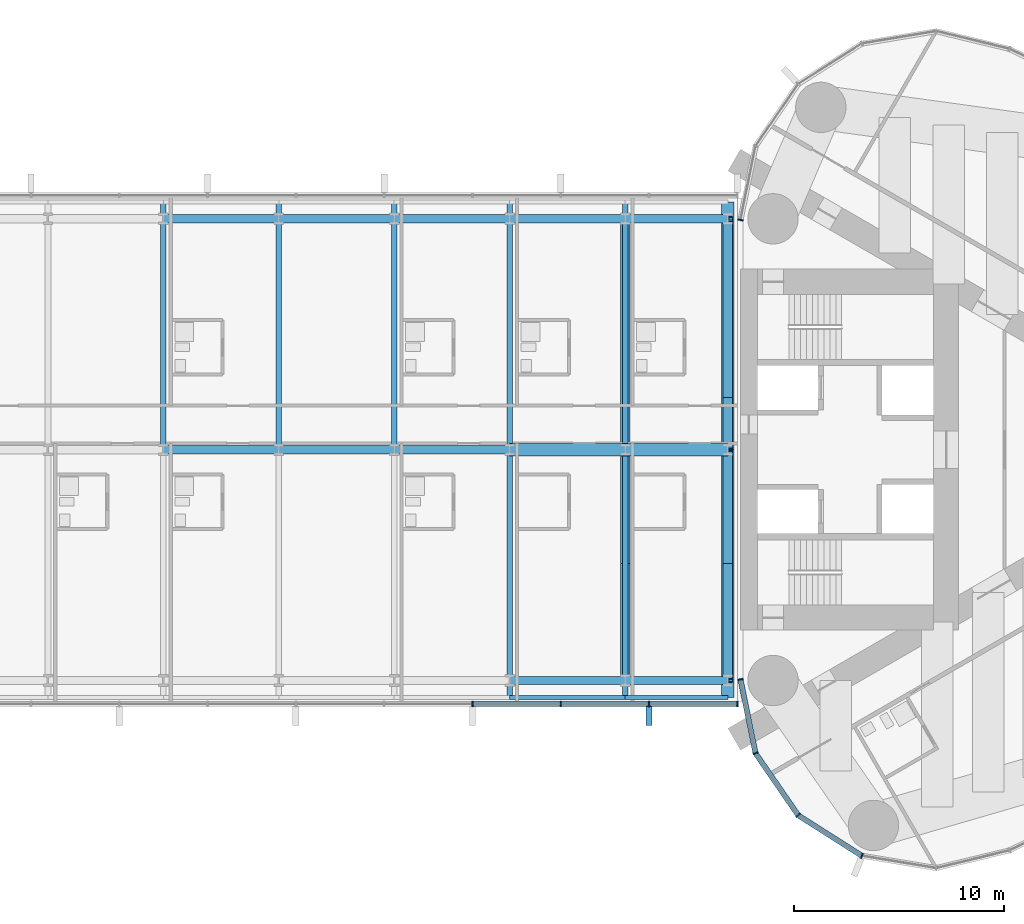
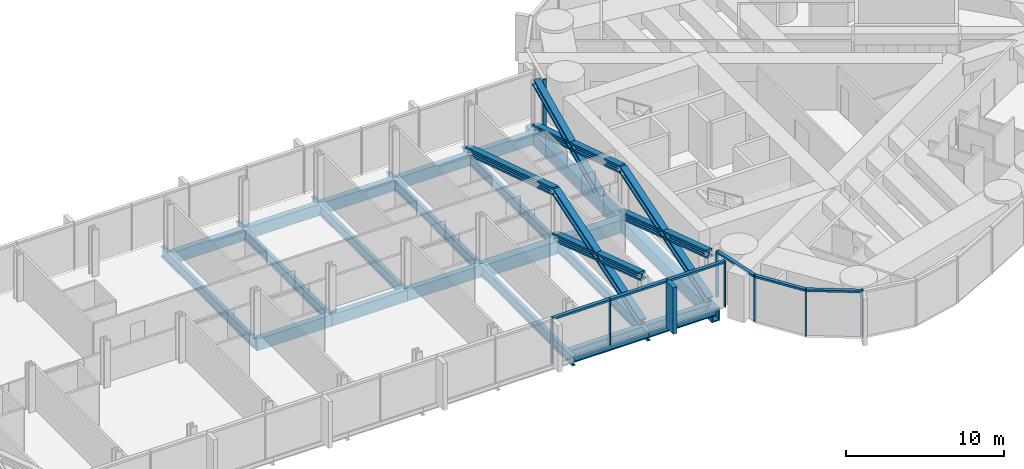
# One storey, part 8 of 24: 23 beams, 23 members, 2 elements without a shape of their own.
"""IFC4 building model written with IfcOpenShell, lengths in metres."""

from ifc_helpers import new_model, si_unit, direction, frame, origin, origin_2d, place, context, subcontext, project, spatial, rectangle, hollow_rectangle, i_section, extrude, material, material_profile, profile_set, type_object, element, aggregate, save


model = new_model("IFC4")

# Units and contexts
model_context = context("Model", 3, precision=1e-05, world=origin(), true_north=direction((0.0, 1.0)))
body_context = subcontext(model_context, "Body", "Model", "MODEL_VIEW")
ifc_project = project(units=[si_unit("LENGTHUNIT", "METRE"), si_unit("AREAUNIT", "SQUARE_METRE"), si_unit("VOLUMEUNIT", "CUBIC_METRE"), si_unit("PLANEANGLEUNIT", "RADIAN"), si_unit("MASSUNIT", "GRAM", prefix="KILO")], contexts=[model_context])

# Site, building, storey
site_placement = place(None, origin())
site = spatial("IfcSite", under=ifc_project, at=site_placement, CompositionType="ELEMENT")
building_placement = place(site_placement, origin())
building = spatial("IfcBuilding", under=site, at=building_placement, Name="Lancet Gate Hotel", CompositionType="ELEMENT")
storey_placement = place(building_placement, frame((0.0, 0.0, 244.10009765625)))
storey = spatial("IfcBuildingStorey", under=building, at=storey_placement, Name="L65", CompositionType="ELEMENT", Elevation=244.10009765625)

# Curtain wall, members
ifc_material_1 = material(Name="Aluminium curtain wall", Category="aluminium")
curtain_wall_type_1 = type_object("IfcCurtainWallType", Name="Tower unitised curtain wall", PredefinedType="USERDEFINED", material=ifc_material_1)
curtain_wall_1_placement = place(storey_placement, origin())
curtain_wall_1 = element("IfcCurtainWall", 1, at=curtain_wall_1_placement, inside=storey, type_object=curtain_wall_type_1, Name="T2 L65 curtain wall 1", ObjectType="UNITISED CURTAIN WALL", PredefinedType="USERDEFINED")
ifc_material_2 = material(Name="Aluminium mullion", Category="aluminium")
ifc_material_profile_1 = material_profile(ifc_material_2, rectangle(XDim=0.06494140625, YDim=0.25, at=origin_2d()), Name="MULLION 65x250")
ifc_profile_set_1 = profile_set([ifc_material_profile_1], Name="Aluminium mullion")
member_type_1 = type_object("IfcMemberType", Name="Aluminium mullion 65x250", PredefinedType="MULLION", material=ifc_profile_set_1)
member_1_placement = place(storey_placement, frame((27.5, -10.947998046875, 0.0), z_axis=(0.0, 0.0, 1.0), x_axis=(0.199533486841, -0.979891008036, 0.0)))
member_1 = element("IfcMember", 2, at=member_1_placement, type_object=member_type_1, Name="T2 L65 curtain wall 1 mullion 1", PredefinedType="MULLION", context=body_context, shape_type="SweptSolid", body=[
    extrude(rectangle(XDim=0.06494140625, YDim=0.25, at=origin_2d()), origin(), (0.0, 0.0, 1.0), 3.599853515625),
])
member_2_placement = place(storey_placement, frame((28.216552734375, -14.467529296875, 0.0), z_axis=(0.0, 0.0, 1.0), x_axis=(0.391042139098, -0.920372775265, 0.0)))
member_2 = element("IfcMember", 3, at=member_2_placement, type_object=member_type_1, Name="T2 L65 curtain wall 1 mullion 2", PredefinedType="MULLION", context=body_context, shape_type="SweptSolid", body=[
    extrude(rectangle(XDim=0.06494140625, YDim=0.25, at=origin_2d()), origin(), (0.0, 0.0, 1.0), 3.599853515625),
])
member_3_placement = place(storey_placement, frame((30.25244140625, -17.42626953125, 0.0), z_axis=(0.0, 0.0, 1.0), x_axis=(0.719809077627, -0.694172090886, 0.0)))
member_3 = element("IfcMember", 4, at=member_3_placement, type_object=member_type_1, Name="T2 L65 curtain wall 1 mullion 3", PredefinedType="MULLION", context=body_context, shape_type="SweptSolid", body=[
    extrude(rectangle(XDim=0.06494140625, YDim=0.25, at=origin_2d()), origin(), (0.0, 0.0, 1.0), 3.599853515625),
])
member_4_placement = place(storey_placement, frame((33.283203125, -19.353515625, 0.0), z_axis=(0.0, 0.0, 1.0), x_axis=(0.93394321776, -0.357421412343, 0.0)))
member_4 = element("IfcMember", 5, at=member_4_placement, type_object=member_type_1, Name="T2 L65 curtain wall 1 mullion 4", PredefinedType="MULLION", context=body_context, shape_type="SweptSolid", body=[
    extrude(rectangle(XDim=0.06494140625, YDim=0.25, at=origin_2d()), origin(), (0.0, 0.0, 1.0), 3.599853515625),
])
member_5_placement = place(storey_placement, frame((27.5, 10.947998046875, 0.0), z_axis=(0.0, 0.0, 1.0), x_axis=(-0.199533486841, -0.979891008036, 0.0)))
member_5 = element("IfcMember", 6, at=member_5_placement, type_object=member_type_1, Name="T2 L65 curtain wall 1 mullion 27", PredefinedType="MULLION", context=body_context, shape_type="SweptSolid", body=[
    extrude(rectangle(XDim=0.06494140625, YDim=0.25, at=origin_2d()), origin(), (0.0, 0.0, 1.0), 3.599853515625),
])

ifc_material_3 = material(Name="Aluminium curtain wall", Category="aluminium")
curtain_wall_type_2 = type_object("IfcCurtainWallType", Name="Bridge block curtain wall", PredefinedType="USERDEFINED", material=ifc_material_3)
curtain_wall_2_placement = place(storey_placement, origin())
curtain_wall_2 = element("IfcCurtainWall", 7, at=curtain_wall_2_placement, inside=storey, type_object=curtain_wall_type_2, Name="Bridge block L65 curtain wall S", ObjectType="UNITISED CURTAIN WALL", PredefinedType="USERDEFINED")
member_6_placement = place(storey_placement, frame((14.726806640625, -12.1201171875, 0.0), z_axis=(0.0, 0.0, 1.0), x_axis=(1.0, 0.0, 0.0)))
member_6 = element("IfcMember", 8, at=member_6_placement, type_object=member_type_1, Name="Bridge block L65 curtain wall S mullion 11", PredefinedType="MULLION", context=body_context, shape_type="SweptSolid", body=[
    extrude(rectangle(XDim=0.06494140625, YDim=0.25, at=origin_2d()), origin(), (0.0, 0.0, 1.0), 3.599853515625),
])
member_7_placement = place(storey_placement, frame((18.9345703125, -12.1201171875, 0.0), z_axis=(0.0, 0.0, 1.0), x_axis=(1.0, 0.0, 0.0)))
member_7 = element("IfcMember", 9, at=member_7_placement, type_object=member_type_1, Name="Bridge block L65 curtain wall S mullion 12", PredefinedType="MULLION", context=body_context, shape_type="SweptSolid", body=[
    extrude(rectangle(XDim=0.06494140625, YDim=0.25, at=origin_2d()), origin(), (0.0, 0.0, 1.0), 3.599853515625),
])
member_8_placement = place(storey_placement, frame((23.142333984375, -12.1201171875, 0.0), z_axis=(0.0, 0.0, 1.0), x_axis=(1.0, 0.0, 0.0)))
member_8 = element("IfcMember", 10, at=member_8_placement, type_object=member_type_1, Name="Bridge block L65 curtain wall S mullion 13", PredefinedType="MULLION", context=body_context, shape_type="SweptSolid", body=[
    extrude(rectangle(XDim=0.06494140625, YDim=0.25, at=origin_2d()), origin(), (0.0, 0.0, 1.0), 3.599853515625),
])
member_9_placement = place(storey_placement, frame((27.35009765625, -12.1201171875, 0.0), z_axis=(0.0, 0.0, 1.0), x_axis=(1.0, 0.0, 0.0)))
member_9 = element("IfcMember", 11, at=member_9_placement, type_object=member_type_1, Name="Bridge block L65 curtain wall S mullion 14", PredefinedType="MULLION", context=body_context, shape_type="SweptSolid", body=[
    extrude(rectangle(XDim=0.06494140625, YDim=0.25, at=origin_2d()), origin(), (0.0, 0.0, 1.0), 3.599853515625),
])

# Member
ifc_material_4 = material(Name="Aluminium transom", Category="aluminium")
ifc_material_profile_2 = material_profile(ifc_material_4, rectangle(XDim=0.25, YDim=0.14990234375, at=origin_2d()), Name="TRANSOM 250x150")
ifc_profile_set_2 = profile_set([ifc_material_profile_2], Name="Aluminium transom")
member_type_2 = type_object("IfcMemberType", Name="Aluminium transom 250x150", PredefinedType="USERDEFINED", material=ifc_profile_set_2)
member_10_placement = place(storey_placement, frame((27.506591796875, -10.97998046875, 3.52490234375), z_axis=(0.19952323725, -0.979893095086, 0.0), x_axis=(0.979893095086, 0.19952323725, 0.0)))
member_10 = element("IfcMember", 12, at=member_10_placement, type_object=member_type_2, Name="T2 L65 curtain wall 1 transom 1", ObjectType="TRANSOM", PredefinedType="USERDEFINED", context=body_context, shape_type="SweptSolid", body=[
    extrude(rectangle(XDim=0.25, YDim=0.14990234375, at=origin_2d()), origin(), (0.0, 0.0, 1.0), 3.5263671875),
])

member_11_placement = place(storey_placement, frame((28.235107421875, -14.494140625, 3.52490234375), z_axis=(0.566813768052, -0.82384595183, 0.0), x_axis=(0.82384595183, 0.566813768052, 0.0)))
member_11 = element("IfcMember", 13, at=member_11_placement, type_object=member_type_2, Name="T2 L65 curtain wall 1 transom 2", ObjectType="TRANSOM", PredefinedType="USERDEFINED", context=body_context, shape_type="SweptSolid", body=[
    extrude(rectangle(XDim=0.25, YDim=0.14990234375, at=origin_2d()), origin(), (0.0, 0.0, 1.0), 3.52685546875),
])

member_12_placement = place(storey_placement, frame((30.27978515625, -17.44384765625, 3.52490234375), z_axis=(0.84385811281, -0.536566384938, 0.0), x_axis=(0.536566384938, 0.84385811281, 0.0)))
member_12 = element("IfcMember", 14, at=member_12_placement, type_object=member_type_2, Name="T2 L65 curtain wall 1 transom 3", ObjectType="TRANSOM", PredefinedType="USERDEFINED", context=body_context, shape_type="SweptSolid", body=[
    extrude(rectangle(XDim=0.25, YDim=0.14990234375, at=origin_2d()), origin(), (0.0, 0.0, 1.0), 3.52685546875),
])

aggregate(curtain_wall_1, [member_1, member_2, member_3, member_4, member_5, member_10, member_11, member_12])

member_13_placement = place(storey_placement, frame((14.759521484375, -12.1201171875, 3.52490234375), z_axis=(1.0, 0.0, 0.0), x_axis=(0.0, 1.0, 0.0)))
member_13 = element("IfcMember", 15, at=member_13_placement, type_object=member_type_2, Name="Bridge block L65 curtain wall S transom 11", ObjectType="TRANSOM", PredefinedType="USERDEFINED", context=body_context, shape_type="SweptSolid", body=[
    extrude(rectangle(XDim=0.25, YDim=0.14990234375, at=origin_2d()), origin(), (0.0, 0.0, 1.0), 4.142578125),
])

member_14_placement = place(storey_placement, frame((18.967041015625, -12.1201171875, 3.52490234375), z_axis=(1.0, 0.0, 0.0), x_axis=(0.0, 1.0, 0.0)))
member_14 = element("IfcMember", 16, at=member_14_placement, type_object=member_type_2, Name="Bridge block L65 curtain wall S transom 12", ObjectType="TRANSOM", PredefinedType="USERDEFINED", context=body_context, shape_type="SweptSolid", body=[
    extrude(rectangle(XDim=0.25, YDim=0.14990234375, at=origin_2d()), origin(), (0.0, 0.0, 1.0), 4.142822265625),
])

member_15_placement = place(storey_placement, frame((23.1748046875, -12.1201171875, 3.52490234375), z_axis=(1.0, 0.0, 0.0), x_axis=(0.0, 1.0, 0.0)))
member_15 = element("IfcMember", 17, at=member_15_placement, type_object=member_type_2, Name="Bridge block L65 curtain wall S transom 13", ObjectType="TRANSOM", PredefinedType="USERDEFINED", context=body_context, shape_type="SweptSolid", body=[
    extrude(rectangle(XDim=0.25, YDim=0.14990234375, at=origin_2d()), origin(), (0.0, 0.0, 1.0), 4.142578125),
])

# Members
ifc_material_5 = material(Name="Steel S460", Category="steel")
ifc_material_profile_3 = material_profile(ifc_material_5, i_section(OverallWidth=0.4541015625, OverallDepth=0.569091796875, WebThickness=0.077880859375, FlangeThickness=0.125, FilletRadius=0.02001953125, at=origin_2d()), Name="HD 400x1086")
ifc_profile_set_3 = profile_set([ifc_material_profile_3], Name="Steel S460")
member_type_3 = type_object("IfcMemberType", Name="Block brace HD 400x1086", PredefinedType="BRACE", material=ifc_profile_set_3)
member_16_placement = place(storey_placement, frame((26.89990234375, -11.0, 0.0), z_axis=(0.0, 0.952925780013, 0.303203657277), x_axis=(-1.0, 0.0, 0.0)))
element("IfcMember", 18, at=member_16_placement, inside=storey, type_object=member_type_3, Name="Block brace EY11 L65", PredefinedType="BRACE", context=body_context, shape_type="SweptSolid", body=[
    extrude(i_section(OverallWidth=0.4541015625, OverallDepth=0.569091796875, WebThickness=0.077880859375, FlangeThickness=0.125, FilletRadius=0.02001953125, at=origin_2d()), origin(), (0.0, 0.0, 1.0), 11.54345703125),
])
member_17_placement = place(storey_placement, frame((26.89990234375, 0.0, 0.0), z_axis=(0.0, -0.950400870301, 0.311027628564), x_axis=(1.0, 0.0, 0.0)))
element("IfcMember", 19, at=member_17_placement, inside=storey, type_object=member_type_3, Name="Block brace EY12 L65", PredefinedType="BRACE", context=body_context, shape_type="SweptSolid", body=[
    extrude(i_section(OverallWidth=0.4541015625, OverallDepth=0.569091796875, WebThickness=0.077880859375, FlangeThickness=0.125, FilletRadius=0.02001953125, at=origin_2d()), origin(), (0.0, 0.0, 1.0), 11.573974609375),
])
for number, where, z_axis, x_axis, name in (
    (20, (26.89990234375, 11.0, 0.0), (0.0, -0.952925780013, 0.303203657277), (1.0, 0.0, 0.0), "Block brace EY22 L65"),
    (21, (22.0, -11.0, 0.0), (0.0, 0.952925780013, 0.303203657277), (-1.0, 0.0, 0.0), "Block brace EI11 L65"),
):
    element("IfcMember", number, at=place(storey_placement, frame(where, z_axis=z_axis, x_axis=x_axis)), inside=storey, type_object=member_type_3, Name=name, PredefinedType="BRACE", context=body_context, shape_type="SweptSolid", body=[
        extrude(i_section(OverallWidth=0.4541015625, OverallDepth=0.569091796875, WebThickness=0.077880859375, FlangeThickness=0.125, FilletRadius=0.02001953125, at=origin_2d()), origin(), (0.0, 0.0, 1.0), 11.54345703125),
    ])
member_18_placement = place(storey_placement, frame((22.0, 0.0, 0.0), z_axis=(0.0, -0.950400870301, 0.311027628564), x_axis=(1.0, 0.0, 0.0)))
element("IfcMember", 22, at=member_18_placement, inside=storey, type_object=member_type_3, Name="Block brace EI12 L65", PredefinedType="BRACE", context=body_context, shape_type="SweptSolid", body=[
    extrude(i_section(OverallWidth=0.4541015625, OverallDepth=0.569091796875, WebThickness=0.077880859375, FlangeThickness=0.125, FilletRadius=0.02001953125, at=origin_2d()), origin(), (0.0, 0.0, 1.0), 11.573974609375),
])
member_19_placement = place(storey_placement, frame((22.0, 11.0, 0.0), z_axis=(0.0, -0.952925780013, 0.303203657277), x_axis=(1.0, 0.0, 0.0)))
element("IfcMember", 23, at=member_19_placement, inside=storey, type_object=member_type_3, Name="Block brace EI22 L65", PredefinedType="BRACE", context=body_context, shape_type="SweptSolid", body=[
    extrude(i_section(OverallWidth=0.4541015625, OverallDepth=0.569091796875, WebThickness=0.077880859375, FlangeThickness=0.125, FilletRadius=0.02001953125, at=origin_2d()), origin(), (0.0, 0.0, 1.0), 11.54345703125),
])
member_20_placement = place(storey_placement, frame((26.89990234375, 2.60009765625, -0.300048828125), z_axis=(0.0, 0.907011125382, 0.421106659212), x_axis=(-1.0, 0.0, 0.0)))
element("IfcMember", 24, at=member_20_placement, inside=storey, type_object=member_type_3, Name="Block brace EY23 L65", PredefinedType="BRACE", context=body_context, shape_type="SweptSolid", body=[
    extrude(i_section(OverallWidth=0.4541015625, OverallDepth=0.569091796875, WebThickness=0.077880859375, FlangeThickness=0.125, FilletRadius=0.02001953125, at=origin_2d()), origin(), (0.0, 0.0, 1.0), 9.260986328125),
])

# Beams
ifc_material_6 = material(Name="Steel S355", Category="steel")
ifc_material_profile_4 = material_profile(ifc_material_6, i_section(OverallWidth=0.19140625, OverallDepth=0.4599609375, WebThickness=0.010009765625, FlangeThickness=0.01611328125, FilletRadius=0.01025390625, at=origin_2d()), Name="UKB 457x191x82")
ifc_profile_set_4 = profile_set([ifc_material_profile_4], Name="Steel S355")
beam_type_1 = type_object("IfcBeamType", Name="Block edge beam UKB 457x191x82", PredefinedType="SPANDREL", material=ifc_profile_set_4)
beam_1_placement = place(storey_placement, frame((16.5, -11.800048828125, -0.43017578125), z_axis=(1.0, 0.0, 0.0), x_axis=(0.0, 1.0, 0.0)))
element("IfcBeam", 25, at=beam_1_placement, inside=storey, type_object=beam_type_1, Name="Block edge beam S 8-9 L65", PredefinedType="SPANDREL", context=body_context, shape_type="SweptSolid", body=[
    extrude(i_section(OverallWidth=0.19140625, OverallDepth=0.4599609375, WebThickness=0.010009765625, FlangeThickness=0.01611328125, FilletRadius=0.01025390625, at=origin_2d()), origin(), (0.0, 0.0, 1.0), 5.5),
])
beam_2_placement = place(storey_placement, frame((22.0, -11.800048828125, -0.43017578125), z_axis=(1.0, 0.0, 0.0), x_axis=(0.0, 1.0, 0.0)))
element("IfcBeam", 26, at=beam_2_placement, inside=storey, type_object=beam_type_1, Name="Block edge beam S 9-10 L65", PredefinedType="SPANDREL", context=body_context, shape_type="SweptSolid", body=[
    extrude(i_section(OverallWidth=0.19140625, OverallDepth=0.4599609375, WebThickness=0.010009765625, FlangeThickness=0.01611328125, FilletRadius=0.01025390625, at=origin_2d()), origin(), (0.0, 0.0, 1.0), 4.89990234375),
])
ifc_material_7 = material(Name="Steel S460QL", Category="steel")
ifc_material_profile_5 = material_profile(ifc_material_7, hollow_rectangle(XDim=0.60009765625, YDim=1.0, WallThickness=0.10009765625, at=origin_2d()), Name="BOX 1000x600x100")
ifc_profile_set_5 = profile_set([ifc_material_profile_5], Name="Steel S460QL")
beam_type_2 = type_object("IfcBeamType", Name="Block end beam BOX 1000x600x100", PredefinedType="BEAM", material=ifc_profile_set_5)
for number, where, z_axis, x_axis, name in (
    (27, (26.89990234375, -11.800048828125, -0.7001953125), (0.0, 1.0, 0.0), (-1.0, 0.0, 0.0), "Block beam x10 S L65"),
    (28, (26.89990234375, 0.0, -0.7001953125), (0.0, 1.0, 0.0), (-1.0, 0.0, 0.0), "Block beam x10 N L65"),
):
    element("IfcBeam", number, at=place(storey_placement, frame(where, z_axis=z_axis, x_axis=x_axis)), inside=storey, type_object=beam_type_2, Name=name, PredefinedType="BEAM", context=body_context, shape_type="SweptSolid", body=[
        extrude(hollow_rectangle(XDim=0.60009765625, YDim=1.0, WallThickness=0.10009765625, at=origin_2d()), origin(), (0.0, 0.0, 1.0), 11.800048828125),
    ])
ifc_material_8 = material(Name="Steel S460QL", Category="steel")
ifc_material_profile_6 = material_profile(ifc_material_8, hollow_rectangle(XDim=0.60009765625, YDim=1.0, WallThickness=0.080078125, at=origin_2d()), Name="BOX 1000x600x80")
ifc_profile_set_6 = profile_set([ifc_material_profile_6], Name="Steel S460QL")
beam_type_3 = type_object("IfcBeamType", Name="Block primary beam BOX 1000x600x80", PredefinedType="BEAM", material=ifc_profile_set_6)
beam_3_placement = place(storey_placement, frame((16.5, 0.0, -0.7001953125), z_axis=(1.0, 0.0, 0.0), x_axis=(0.0, 1.0, 0.0)))
element("IfcBeam", 29, at=beam_3_placement, inside=storey, type_object=beam_type_3, Name="Block primary beam M 9 L65", PredefinedType="BEAM", context=body_context, shape_type="SweptSolid", body=[
    extrude(hollow_rectangle(XDim=0.60009765625, YDim=1.0, WallThickness=0.080078125, at=origin_2d()), origin(), (0.0, 0.0, 1.0), 5.5),
])
beam_4_placement = place(storey_placement, frame((22.0, 0.0, -0.7001953125), z_axis=(1.0, 0.0, 0.0), x_axis=(0.0, 1.0, 0.0)))
element("IfcBeam", 30, at=beam_4_placement, inside=storey, type_object=beam_type_3, Name="Block primary beam M 10 L65", PredefinedType="BEAM", context=body_context, shape_type="SweptSolid", body=[
    extrude(hollow_rectangle(XDim=0.60009765625, YDim=1.0, WallThickness=0.080078125, at=origin_2d()), origin(), (0.0, 0.0, 1.0), 4.89990234375),
])
ifc_material_9 = material(Name="Steel S355", Category="steel")
ifc_material_profile_7 = material_profile(ifc_material_9, hollow_rectangle(XDim=0.39990234375, YDim=0.89990234375, WallThickness=0.0400390625, at=origin_2d()), Name="BOX 900x400x40")
ifc_profile_set_7 = profile_set([ifc_material_profile_7], Name="Steel S355")
beam_type_4 = type_object("IfcBeamType", Name="Block primary beam BOX 900x400x40", PredefinedType="BEAM", material=ifc_profile_set_7)
beam_5_placement = place(storey_placement, frame((16.5, -11.0, -0.650146484375), z_axis=(1.0, 0.0, 0.0), x_axis=(0.0, 1.0, 0.0)))
element("IfcBeam", 31, at=beam_5_placement, inside=storey, type_object=beam_type_4, Name="Block primary beam S 9 L65", PredefinedType="BEAM", context=body_context, shape_type="SweptSolid", body=[
    extrude(hollow_rectangle(XDim=0.39990234375, YDim=0.89990234375, WallThickness=0.0400390625, at=origin_2d()), origin(), (0.0, 0.0, 1.0), 5.5),
])
beam_6_placement = place(storey_placement, frame((22.0, -11.0, -0.650146484375), z_axis=(1.0, 0.0, 0.0), x_axis=(0.0, 1.0, 0.0)))
element("IfcBeam", 32, at=beam_6_placement, inside=storey, type_object=beam_type_4, Name="Block primary beam S 10 L65", PredefinedType="BEAM", context=body_context, shape_type="SweptSolid", body=[
    extrude(hollow_rectangle(XDim=0.39990234375, YDim=0.89990234375, WallThickness=0.0400390625, at=origin_2d()), origin(), (0.0, 0.0, 1.0), 4.89990234375),
])
for number, where, z_axis, x_axis, name in (
    (33, (0.0, 0.0, -0.650146484375), (1.0, 0.0, 0.0), (0.0, 1.0, 0.0), "Block primary beam M 6 L65"),
    (34, (5.5, 0.0, -0.650146484375), (1.0, 0.0, 0.0), (0.0, 1.0, 0.0), "Block primary beam M 7 L65"),
    (35, (11.0, 0.0, -0.650146484375), (1.0, 0.0, 0.0), (0.0, 1.0, 0.0), "Block primary beam M 8 L65"),
    (36, (0.0, 11.0, -0.650146484375), (1.0, 0.0, 0.0), (0.0, 1.0, 0.0), "Block primary beam N 6 L65"),
    (37, (5.5, 11.0, -0.650146484375), (1.0, 0.0, 0.0), (0.0, 1.0, 0.0), "Block primary beam N 7 L65"),
    (38, (11.0, 11.0, -0.650146484375), (1.0, 0.0, 0.0), (0.0, 1.0, 0.0), "Block primary beam N 8 L65"),
    (39, (16.5, 11.0, -0.650146484375), (1.0, 0.0, 0.0), (0.0, 1.0, 0.0), "Block primary beam N 9 L65"),
):
    element("IfcBeam", number, at=place(storey_placement, frame(where, z_axis=z_axis, x_axis=x_axis)), inside=storey, type_object=beam_type_4, Name=name, PredefinedType="BEAM", context=body_context, shape_type="SweptSolid", body=[
        extrude(hollow_rectangle(XDim=0.39990234375, YDim=0.89990234375, WallThickness=0.0400390625, at=origin_2d()), origin(), (0.0, 0.0, 1.0), 5.5),
    ])
beam_7_placement = place(storey_placement, frame((22.0, 11.0, -0.650146484375), z_axis=(1.0, 0.0, 0.0), x_axis=(0.0, 1.0, 0.0)))
element("IfcBeam", 40, at=beam_7_placement, inside=storey, type_object=beam_type_4, Name="Block primary beam N 10 L65", PredefinedType="BEAM", context=body_context, shape_type="SweptSolid", body=[
    extrude(hollow_rectangle(XDim=0.39990234375, YDim=0.89990234375, WallThickness=0.0400390625, at=origin_2d()), origin(), (0.0, 0.0, 1.0), 4.89990234375),
])
ifc_material_10 = material(Name="Steel S355", Category="steel")
ifc_material_profile_8 = material_profile(ifc_material_10, i_section(OverallWidth=0.26806640625, OverallDepth=0.769775390625, WebThickness=0.015625, FlangeThickness=0.025390625, FilletRadius=0.0166015625, at=origin_2d()), Name="UKB 762x267x197")
ifc_profile_set_8 = profile_set([ifc_material_profile_8], Name="Steel S355")
beam_type_5 = type_object("IfcBeamType", Name="Block secondary beam UKB 762x267x197", PredefinedType="JOIST", material=ifc_profile_set_8)
for number, where, z_axis, x_axis, name in (
    (41, (0.0, 0.0, -0.5849609375), (0.0, 1.0, 0.0), (-1.0, 0.0, 0.0), "Block beam x5 N L65"),
    (42, (5.5, 0.0, -0.5849609375), (0.0, 1.0, 0.0), (-1.0, 0.0, 0.0), "Block beam x6 N L65"),
    (43, (11.0, 0.0, -0.5849609375), (0.0, 1.0, 0.0), (-1.0, 0.0, 0.0), "Block beam x7 N L65"),
    (44, (16.5, -11.800048828125, -0.5849609375), (0.0, 1.0, 0.0), (-1.0, 0.0, 0.0), "Block beam x8 S L65"),
    (45, (16.5, 0.0, -0.5849609375), (0.0, 1.0, 0.0), (-1.0, 0.0, 0.0), "Block beam x8 N L65"),
    (46, (22.0, -11.800048828125, -0.5849609375), (0.0, 1.0, 0.0), (-1.0, 0.0, 0.0), "Block beam x9 S L65"),
    (47, (22.0, 0.0, -0.5849609375), (0.0, 1.0, 0.0), (-1.0, 0.0, 0.0), "Block beam x9 N L65"),
):
    element("IfcBeam", number, at=place(storey_placement, frame(where, z_axis=z_axis, x_axis=x_axis)), inside=storey, type_object=beam_type_5, Name=name, PredefinedType="JOIST", context=body_context, shape_type="SweptSolid", body=[
        extrude(i_section(OverallWidth=0.26806640625, OverallDepth=0.769775390625, WebThickness=0.015625, FlangeThickness=0.025390625, FilletRadius=0.0166015625, at=origin_2d()), origin(), (0.0, 0.0, 1.0), 11.800048828125),
    ])

# Member
ifc_material_11 = material(Name="Precast concrete C50/60", Category="concrete")
ifc_material_profile_9 = material_profile(ifc_material_11, rectangle(XDim=0.300048828125, YDim=0.89990234375, at=origin_2d()), Name="FIN 300x900")
ifc_profile_set_9 = profile_set([ifc_material_profile_9], Name="Precast concrete C50/60")
member_type_4 = type_object("IfcMemberType", Name="Exposed concrete fin 300x900", PredefinedType="USERDEFINED", material=ifc_profile_set_9)
member_21_placement = place(storey_placement, frame((23.142333984375, -12.695068359375, 0.0), z_axis=(0.0, 0.0, 1.0), x_axis=(1.0, 0.0, 0.0)))
member_21 = element("IfcMember", 48, at=member_21_placement, type_object=member_type_4, Name="Bridge block L65 curtain wall S fin 13", ObjectType="FIN", PredefinedType="USERDEFINED", context=body_context, shape_type="SweptSolid", body=[
    extrude(rectangle(XDim=0.300048828125, YDim=0.89990234375, at=origin_2d()), origin(), (0.0, 0.0, 1.0), 3.599853515625),
])

aggregate(curtain_wall_2, [member_6, member_7, member_8, member_21, member_9, member_13, member_14, member_15])

save(model, "model.ifc")
